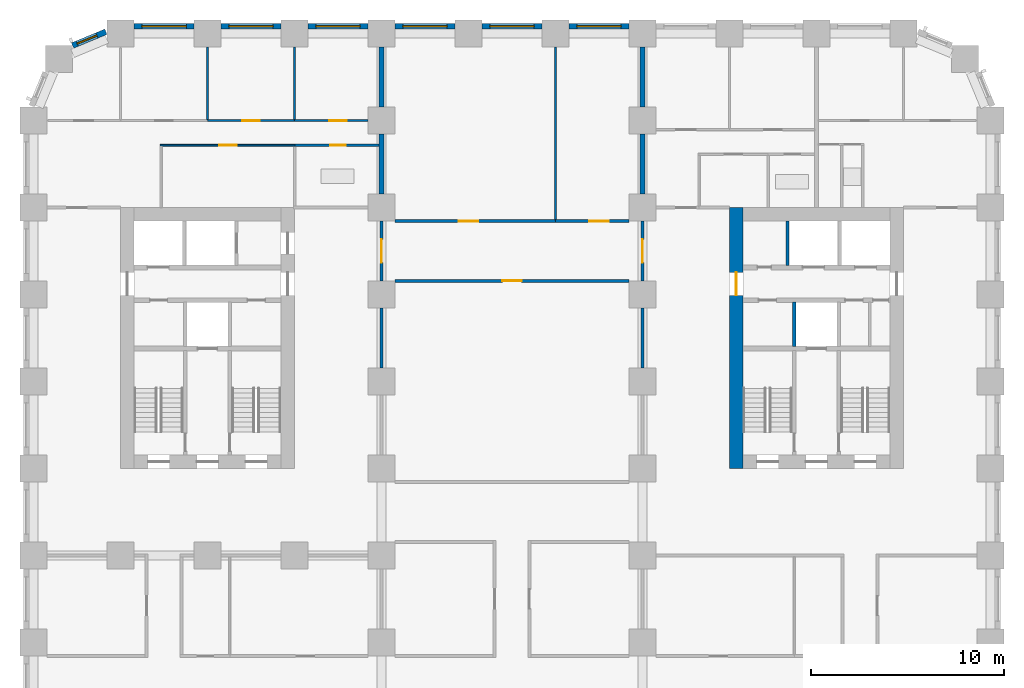
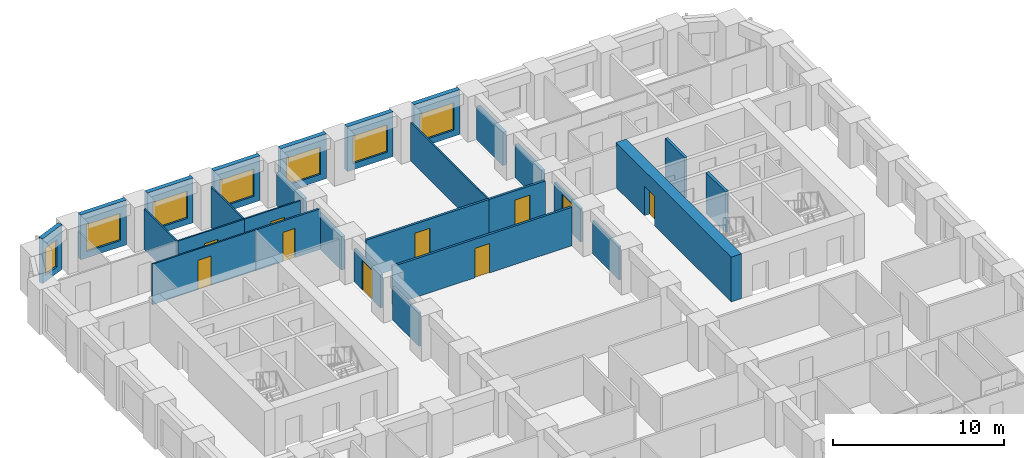
# One storey, part 7 of 12: 28 walls, 10 doors, 7 windows, 17 openings.
"""IFC4 building model written with IfcOpenShell, lengths in metres."""

from ifc_helpers import new_model, si_unit, direction, frame, frame_2d, origin, place, context, subcontext, project, spatial, rectangle, extrude, material, layer, layer_set, type_object, element, fill, save


model = new_model("IFC4")

# Units and contexts
model_context = context("Model", 3, precision=1e-05, world=origin(), true_north=direction((0.0, 1.0)))
body_context = subcontext(model_context, "Body", "Model", "MODEL_VIEW")
ifc_project = project(units=[si_unit("LENGTHUNIT", "METRE"), si_unit("AREAUNIT", "SQUARE_METRE"), si_unit("VOLUMEUNIT", "CUBIC_METRE"), si_unit("PLANEANGLEUNIT", "RADIAN"), si_unit("MASSUNIT", "GRAM", prefix="KILO")], contexts=[model_context])

# Site, building, storey
site_placement = place(None, origin())
site = spatial("IfcSite", under=ifc_project, at=site_placement, CompositionType="ELEMENT")
building_placement = place(site_placement, origin())
building = spatial("IfcBuilding", under=site, at=building_placement, Name="Girih Gate Residences", CompositionType="ELEMENT")
storey_placement = place(building_placement, frame((0.0, 0.0, 65.60009765625)))
storey = spatial("IfcBuildingStorey", under=building, at=storey_placement, Name="L17", CompositionType="ELEMENT", Elevation=65.60009765625)

# Walls
ifc_material_1 = material(Name="Gypsum board on steel studs", Category="steel")
ifc_layer_1 = layer(ifc_material_1, 0.25)
ifc_layer_set_1 = layer_set([ifc_layer_1], Name="Acoustic separating wall 250 mm")
wall_type_1 = type_object("IfcWallType", Name="Acoustic separating wall 250 mm", PredefinedType="PARTITIONING", material=ifc_layer_set_1)
for number, where, z_axis, x_axis, name in (
    (1, (18.0, 41.199951171875, 0.0), (0.0, 0.0, 1.0), (0.0, 1.0, 0.0), "L17 partition"),
    (2, (18.0, 45.699951171875, 0.0), (0.0, 0.0, 1.0), (0.0, 1.0, 0.0), "L17 partition"),
    (3, (31.5, 41.199951171875, 0.0), (0.0, 0.0, 1.0), (0.0, 1.0, 0.0), "L17 partition"),
    (4, (31.5, 45.699951171875, 0.0), (0.0, 0.0, 1.0), (0.0, 1.0, 0.0), "L17 partition"),
):
    element("IfcWall", number, at=place(storey_placement, frame(where, z_axis=z_axis, x_axis=x_axis)), inside=storey, type_object=wall_type_1, Name=name, PredefinedType="PARTITIONING", context=body_context, shape_type="SweptSolid", body=[
        extrude(rectangle(XDim=3.10009765625, YDim=0.25, at=frame_2d((1.550048828125, 0.0))), origin(), (0.0, 0.0, 1.0), 2.3798828125),
    ])

# Wall, opening, door
ifc_layer_2 = layer(ifc_material_1, 0.14990234375)
ifc_layer_set_2 = layer_set([ifc_layer_2], Name="Compartment wall 150 mm")
wall_type_2 = type_object("IfcWallType", Name="Compartment wall 150 mm", PredefinedType="PARTITIONING", material=ifc_layer_set_2)
wall_1_placement = place(storey_placement, frame((18.699951171875, 39.800048828125, 0.0), z_axis=(0.0, 0.0, 1.0), x_axis=(1.0, 0.0, 0.0)))
wall_1 = element("IfcWall", 5, at=wall_1_placement, inside=storey, type_object=wall_type_2, Name="L17 partition", PredefinedType="PARTITIONING", context=body_context, shape_type="SweptSolid", body=[
    extrude(rectangle(XDim=8.300048828125, YDim=0.14990234375, at=frame_2d((4.14990234375, 0.0))), origin(), (0.0, 0.0, 1.0), 2.75),
])
opening_1_placement = place(wall_1_placement, frame((3.300048828125, 0.0, 0.0)))
opening_1 = element("IfcOpeningElement", 6, at=opening_1_placement, cuts=wall_1, Name="Opening A17-038", PredefinedType="OPENING", context=body_context, shape_type="SweptSolid", body=[
    extrude(rectangle(XDim=1.0, YDim=2.10009765625, at=frame_2d((0.5, 1.050048828125))), frame((0.0, 0.0849609375, 0.0), z_axis=(0.0, -1.0, 0.0), x_axis=(1.0, 0.0, 0.0)), (0.0, 0.0, 1.0), 0.169921875),
])
ifc_material_2 = material(Name="Timber, fire-rated core", Category="wood")
door_type_1 = type_object("IfcDoorType", Name="Amenity room door 1000x2100 FD30S", OperationType="NOTDEFINED", PredefinedType="DOOR", material=ifc_material_2)
door_1_placement = place(opening_1_placement, origin())
door_1 = element("IfcDoor", 7, at=door_1_placement, inside=storey, type_object=door_type_1, Name="Door A17-038", OperationType="SINGLE_SWING_LEFT", OverallHeight=2.10009765625, OverallWidth=1.0, PredefinedType="DOOR", context=body_context, shape_type="SweptSolid", body=[
    extrude(rectangle(XDim=1.0, YDim=2.10009765625, at=frame_2d((0.5, 1.050048828125))), frame((0.0, 0.02490234375, 0.0), z_axis=(0.0, -1.0, 0.0), x_axis=(1.0, 0.0, 0.0)), (0.0, 0.0, 1.0), 0.050048828125),
])
fill(opening_1, door_1)

wall_2_placement = place(storey_placement, frame((27.0, 39.800048828125, 0.0), z_axis=(0.0, 0.0, 1.0), x_axis=(1.0, 0.0, 0.0)))
wall_2 = element("IfcWall", 8, at=wall_2_placement, inside=storey, type_object=wall_type_2, Name="L17 partition", PredefinedType="PARTITIONING", context=body_context, shape_type="SweptSolid", body=[
    extrude(rectangle(XDim=3.800048828125, YDim=0.14990234375, at=frame_2d((1.89990234375, 0.0))), origin(), (0.0, 0.0, 1.0), 2.75),
])
opening_2_placement = place(wall_2_placement, frame((1.75, 0.0, 0.0)))
opening_2 = element("IfcOpeningElement", 9, at=opening_2_placement, cuts=wall_2, Name="Opening A17-039", PredefinedType="OPENING", context=body_context, shape_type="SweptSolid", body=[
    extrude(rectangle(XDim=1.0, YDim=2.10009765625, at=frame_2d((0.5, 1.050048828125))), frame((0.0, 0.0849609375, 0.0), z_axis=(0.0, -1.0, 0.0), x_axis=(1.0, 0.0, 0.0)), (0.0, 0.0, 1.0), 0.169921875),
])
door_2_placement = place(opening_2_placement, origin())
door_2 = element("IfcDoor", 10, at=door_2_placement, inside=storey, type_object=door_type_1, Name="Door A17-039", OperationType="SINGLE_SWING_RIGHT", OverallHeight=2.10009765625, OverallWidth=1.0, PredefinedType="DOOR", context=body_context, shape_type="SweptSolid", body=[
    extrude(rectangle(XDim=1.0, YDim=2.10009765625, at=frame_2d((0.5, 1.050048828125))), frame((0.0, 0.02490234375, 0.0), z_axis=(0.0, -1.0, 0.0), x_axis=(1.0, 0.0, 0.0)), (0.0, 0.0, 1.0), 0.050048828125),
])
fill(opening_2, door_2)

wall_3_placement = place(storey_placement, frame((30.800048828125, 36.699951171875, 0.0), z_axis=(0.0, 0.0, 1.0), x_axis=(-1.0, 0.0, 0.0)))
wall_3 = element("IfcWall", 11, at=wall_3_placement, inside=storey, type_object=wall_type_2, Name="L17 partition", PredefinedType="PARTITIONING", context=body_context, shape_type="SweptSolid", body=[
    extrude(rectangle(XDim=12.10009765625, YDim=0.14990234375, at=frame_2d((6.050048828125, 0.0))), origin(), (0.0, 0.0, 1.0), 2.75),
])
opening_3_placement = place(wall_3_placement, frame((5.550048828125, 0.0, 0.0)))
opening_3 = element("IfcOpeningElement", 12, at=opening_3_placement, cuts=wall_3, Name="Opening A17-040", PredefinedType="OPENING", context=body_context, shape_type="SweptSolid", body=[
    extrude(rectangle(XDim=1.0, YDim=2.10009765625, at=frame_2d((0.5, 1.050048828125))), frame((0.0, 0.0849609375, 0.0), z_axis=(0.0, -1.0, 0.0), x_axis=(1.0, 0.0, 0.0)), (0.0, 0.0, 1.0), 0.169921875),
])
door_3_placement = place(opening_3_placement, origin())
door_3 = element("IfcDoor", 13, at=door_3_placement, inside=storey, type_object=door_type_1, Name="Door A17-040", OperationType="SINGLE_SWING_RIGHT", OverallHeight=2.10009765625, OverallWidth=1.0, PredefinedType="DOOR", context=body_context, shape_type="SweptSolid", body=[
    extrude(rectangle(XDim=1.0, YDim=2.10009765625, at=frame_2d((0.5, 1.050048828125))), frame((0.0, 0.02490234375, 0.0), z_axis=(0.0, -1.0, 0.0), x_axis=(1.0, 0.0, 0.0)), (0.0, 0.0, 1.0), 0.050048828125),
])
fill(opening_3, door_3)

wall_4_placement = place(storey_placement, frame((31.5, 36.699951171875, 0.0), z_axis=(0.0, 0.0, 1.0), x_axis=(0.0, 1.0, 0.0)))
wall_4 = element("IfcWall", 14, at=wall_4_placement, inside=storey, type_object=wall_type_2, Name="L17 partition", PredefinedType="PARTITIONING", context=body_context, shape_type="SweptSolid", body=[
    extrude(rectangle(XDim=3.10009765625, YDim=0.14990234375, at=frame_2d((1.550048828125, 0.0))), origin(), (0.0, 0.0, 1.0), 2.3798828125),
])
opening_4_placement = place(wall_4_placement, frame((0.949951171875, 0.0, 0.0)))
opening_4 = element("IfcOpeningElement", 15, at=opening_4_placement, cuts=wall_4, Name="Opening A17-041", PredefinedType="OPENING", context=body_context, shape_type="SweptSolid", body=[
    extrude(rectangle(XDim=1.199951171875, YDim=2.10009765625, at=frame_2d((0.60009765625, 1.050048828125))), frame((0.0, 0.0849609375, 0.0), z_axis=(0.0, -1.0, 0.0), x_axis=(1.0, 0.0, 0.0)), (0.0, 0.0, 1.0), 0.169921875),
])
door_type_2 = type_object("IfcDoorType", Name="Corridor fire door 1200x2100 FD30S", OperationType="NOTDEFINED", PredefinedType="DOOR", material=ifc_material_2)
door_4_placement = place(opening_4_placement, origin())
door_4 = element("IfcDoor", 16, at=door_4_placement, inside=storey, type_object=door_type_2, Name="Door A17-041", OperationType="SINGLE_SWING_LEFT", OverallHeight=2.10009765625, OverallWidth=1.199951171875, PredefinedType="DOOR", context=body_context, shape_type="SweptSolid", body=[
    extrude(rectangle(XDim=1.199951171875, YDim=2.10009765625, at=frame_2d((0.60009765625, 1.050048828125))), frame((0.0, 0.02490234375, 0.0), z_axis=(0.0, -1.0, 0.0), x_axis=(1.0, 0.0, 0.0)), (0.0, 0.0, 1.0), 0.050048828125),
])
fill(opening_4, door_4)

wall_5_placement = place(storey_placement, frame((18.0, 39.800048828125, 0.0), z_axis=(0.0, 0.0, 1.0), x_axis=(0.0, -1.0, 0.0)))
wall_5 = element("IfcWall", 17, at=wall_5_placement, inside=storey, type_object=wall_type_2, Name="L17 partition", PredefinedType="PARTITIONING", context=body_context, shape_type="SweptSolid", body=[
    extrude(rectangle(XDim=3.10009765625, YDim=0.14990234375, at=frame_2d((1.550048828125, 0.0))), origin(), (0.0, 0.0, 1.0), 2.3798828125),
])
opening_5_placement = place(wall_5_placement, frame((0.949951171875, 0.0, 0.0)))
opening_5 = element("IfcOpeningElement", 18, at=opening_5_placement, cuts=wall_5, Name="Opening A17-042", PredefinedType="OPENING", context=body_context, shape_type="SweptSolid", body=[
    extrude(rectangle(XDim=1.199951171875, YDim=2.10009765625, at=frame_2d((0.60009765625, 1.050048828125))), frame((0.0, 0.0849609375, 0.0), z_axis=(0.0, -1.0, 0.0), x_axis=(1.0, 0.0, 0.0)), (0.0, 0.0, 1.0), 0.169921875),
])
door_5_placement = place(opening_5_placement, origin())
door_5 = element("IfcDoor", 19, at=door_5_placement, inside=storey, type_object=door_type_2, Name="Door A17-042", OperationType="SINGLE_SWING_LEFT", OverallHeight=2.10009765625, OverallWidth=1.199951171875, PredefinedType="DOOR", context=body_context, shape_type="SweptSolid", body=[
    extrude(rectangle(XDim=1.199951171875, YDim=2.10009765625, at=frame_2d((0.60009765625, 1.050048828125))), frame((0.0, 0.02490234375, 0.0), z_axis=(0.0, -1.0, 0.0), x_axis=(1.0, 0.0, 0.0)), (0.0, 0.0, 1.0), 0.050048828125),
])
fill(opening_5, door_5)

# Walls
for number, where, z_axis, x_axis, name in (
    (20, (31.5, 32.199951171875, 0.0), (0.0, 0.0, 1.0), (0.0, 1.0, 0.0), "L17 partition"),
    (21, (18.0, 32.199951171875, 0.0), (0.0, 0.0, 1.0), (0.0, 1.0, 0.0), "L17 partition"),
):
    element("IfcWall", number, at=place(storey_placement, frame(where, z_axis=z_axis, x_axis=x_axis)), inside=storey, type_object=wall_type_2, Name=name, PredefinedType="PARTITIONING", context=body_context, shape_type="SweptSolid", body=[
        extrude(rectangle(XDim=3.10009765625, YDim=0.14990234375, at=frame_2d((1.550048828125, 0.0))), origin(), (0.0, 0.0, 1.0), 2.3798828125),
    ])

# Wall, opening, door
ifc_material_3 = material(Name="Concrete C60/75", Category="concrete")
ifc_layer_3 = layer(ifc_material_3, 0.699951171875)
ifc_layer_set_3 = layer_set([ifc_layer_3], Name="Core wall RC 700 Concrete C60/75")
wall_type_3 = type_object("IfcWallType", Name="Core wall RC 700 Concrete C60/75", PredefinedType="SOLIDWALL", material=ifc_layer_set_3)
wall_6_placement = place(storey_placement, frame((36.35009765625, 27.0, 0.0), z_axis=(0.0, 0.0, 1.0), x_axis=(0.0, 1.0, 0.0)))
wall_6 = element("IfcWall", 22, at=wall_6_placement, inside=storey, type_object=wall_type_3, Name="Core wall E-W L17", PredefinedType="SOLIDWALL", context=body_context, shape_type="SweptSolid", body=[
    extrude(rectangle(XDim=13.5, YDim=0.699951171875, at=frame_2d((6.75, 0.0))), origin(), (0.0, 0.0, 1.0), 3.199951171875),
])
opening_6_placement = place(wall_6_placement, frame((8.949951171875, 0.0, 0.0)))
opening_6 = element("IfcOpeningElement", 23, at=opening_6_placement, cuts=wall_6, Name="Opening D-L17-E-013", PredefinedType="OPENING", context=body_context, shape_type="SweptSolid", body=[
    extrude(rectangle(XDim=1.199951171875, YDim=2.10009765625, at=frame_2d((0.60009765625, 1.050048828125))), frame((0.0, 0.35986328125, 0.0), z_axis=(0.0, -1.0, 0.0), x_axis=(1.0, 0.0, 0.0)), (0.0, 0.0, 1.0), 0.719970703125),
])
ifc_material_4 = material(Name="Painted steel, fire-resisting", Category="steel")
door_type_3 = type_object("IfcDoorType", Name="Fire door 1200x2100", OperationType="SINGLE_SWING_LEFT", PredefinedType="DOOR", material=ifc_material_4)
door_6_placement = place(opening_6_placement, origin())
door_6 = element("IfcDoor", 24, at=door_6_placement, inside=storey, type_object=door_type_3, Name="L17 E core door ll-w", OperationType="SINGLE_SWING_LEFT", OverallHeight=2.10009765625, OverallWidth=1.199951171875, PredefinedType="DOOR", context=body_context, shape_type="SweptSolid", body=[
    extrude(rectangle(XDim=1.199951171875, YDim=2.10009765625, at=frame_2d((0.60009765625, 1.050048828125))), frame((0.0, 0.02490234375, 0.0), z_axis=(0.0, -1.0, 0.0), x_axis=(1.0, 0.0, 0.0)), (0.0, 0.0, 1.0), 0.050048828125),
])
fill(opening_6, door_6)

# Walls
ifc_layer_4 = layer(ifc_material_1, 0.10009765625)
ifc_layer_set_4 = layer_set([ifc_layer_4], Name="Partition 100 mm")
wall_type_4 = type_object("IfcWallType", Name="Partition 100 mm", PredefinedType="PARTITIONING", material=ifc_layer_set_4)
for number, where, z_axis, x_axis, name in (
    (25, (9.0, 45.050048828125, 0.0), (0.0, 0.0, 1.0), (0.0, 1.0, 0.0), "L17 partition"),
    (26, (13.5, 45.050048828125, 0.0), (0.0, 0.0, 1.0), (0.0, 1.0, 0.0), "L17 partition"),
):
    element("IfcWall", number, at=place(storey_placement, frame(where, z_axis=z_axis, x_axis=x_axis)), inside=storey, type_object=wall_type_4, Name=name, PredefinedType="PARTITIONING", context=body_context, shape_type="SweptSolid", body=[
        extrude(rectangle(XDim=3.75, YDim=0.10009765625, at=frame_2d((1.875, 0.0))), origin(), (0.0, 0.0, 1.0), 2.89990234375),
    ])

# Wall, opening, door
wall_7_placement = place(storey_placement, frame((9.0, 45.0, 0.0), z_axis=(0.0, 0.0, 1.0), x_axis=(1.0, 0.0, 0.0)))
wall_7 = element("IfcWall", 27, at=wall_7_placement, inside=storey, type_object=wall_type_4, Name="L17 partition", PredefinedType="PARTITIONING", context=body_context, shape_type="SweptSolid", body=[
    extrude(rectangle(XDim=4.5, YDim=0.10009765625, at=frame_2d((2.25, 0.0))), origin(), (0.0, 0.0, 1.0), 2.89990234375),
])
opening_7_placement = place(wall_7_placement, frame((1.800048828125, 0.0, 0.0)))
opening_7 = element("IfcOpeningElement", 28, at=opening_7_placement, cuts=wall_7, Name="Opening A17-013", PredefinedType="OPENING", context=body_context, shape_type="SweptSolid", body=[
    extrude(rectangle(XDim=0.89990234375, YDim=2.10009765625, at=frame_2d((0.449951171875, 1.050048828125))), frame((0.0, 0.06005859375, 0.0), z_axis=(0.0, -1.0, 0.0), x_axis=(1.0, 0.0, 0.0)), (0.0, 0.0, 1.0), 0.1201171875),
])
ifc_material_5 = material(Name="Timber", Category="wood")
door_type_4 = type_object("IfcDoorType", Name="Bedroom door 900x2100", OperationType="NOTDEFINED", PredefinedType="DOOR", material=ifc_material_5)
door_7_placement = place(opening_7_placement, origin())
door_7 = element("IfcDoor", 29, at=door_7_placement, inside=storey, type_object=door_type_4, Name="Door A17-013", OperationType="SINGLE_SWING_LEFT", OverallHeight=2.10009765625, OverallWidth=0.89990234375, PredefinedType="DOOR", context=body_context, shape_type="SweptSolid", body=[
    extrude(rectangle(XDim=0.89990234375, YDim=2.10009765625, at=frame_2d((0.449951171875, 1.050048828125))), frame((0.0, 0.02490234375, 0.0), z_axis=(0.0, -1.0, 0.0), x_axis=(1.0, 0.0, 0.0)), (0.0, 0.0, 1.0), 0.050048828125),
])
fill(opening_7, door_7)

wall_8_placement = place(storey_placement, frame((13.5, 45.0, 0.0), z_axis=(0.0, 0.0, 1.0), x_axis=(1.0, 0.0, 0.0)))
wall_8 = element("IfcWall", 30, at=wall_8_placement, inside=storey, type_object=wall_type_4, Name="L17 partition", PredefinedType="PARTITIONING", context=body_context, shape_type="SweptSolid", body=[
    extrude(rectangle(XDim=3.800048828125, YDim=0.10009765625, at=frame_2d((1.89990234375, 0.0))), origin(), (0.0, 0.0, 1.0), 2.89990234375),
])
opening_8_placement = place(wall_8_placement, frame((1.800048828125, 0.0, 0.0)))
opening_8 = element("IfcOpeningElement", 31, at=opening_8_placement, cuts=wall_8, Name="Opening A17-014", PredefinedType="OPENING", context=body_context, shape_type="SweptSolid", body=[
    extrude(rectangle(XDim=0.89990234375, YDim=2.10009765625, at=frame_2d((0.449951171875, 1.050048828125))), frame((0.0, 0.06005859375, 0.0), z_axis=(0.0, -1.0, 0.0), x_axis=(1.0, 0.0, 0.0)), (0.0, 0.0, 1.0), 0.1201171875),
])
door_8_placement = place(opening_8_placement, origin())
door_8 = element("IfcDoor", 32, at=door_8_placement, inside=storey, type_object=door_type_4, Name="Door A17-014", OperationType="SINGLE_SWING_RIGHT", OverallHeight=2.10009765625, OverallWidth=0.89990234375, PredefinedType="DOOR", context=body_context, shape_type="SweptSolid", body=[
    extrude(rectangle(XDim=0.89990234375, YDim=2.10009765625, at=frame_2d((0.449951171875, 1.050048828125))), frame((0.0, 0.02490234375, 0.0), z_axis=(0.0, -1.0, 0.0), x_axis=(1.0, 0.0, 0.0)), (0.0, 0.0, 1.0), 0.050048828125),
])
fill(opening_8, door_8)

wall_9_placement = place(storey_placement, frame((13.51806640625, 43.719970703125, 0.0), z_axis=(0.0, 0.0, 1.0), x_axis=(-1.0, 0.0, 0.0)))
wall_9 = element("IfcWall", 33, at=wall_9_placement, inside=storey, type_object=wall_type_4, Name="L17 partition", PredefinedType="PARTITIONING", context=body_context, shape_type="SweptSolid", body=[
    extrude(rectangle(XDim=6.968017578125, YDim=0.10009765625, at=frame_2d((3.48388671875, 0.0))), origin(), (0.0, 0.0, 1.0), 2.89990234375),
])
opening_9_placement = place(wall_9_placement, frame((3.009033203125, 0.0, 0.0)))
opening_9 = element("IfcOpeningElement", 34, at=opening_9_placement, cuts=wall_9, Name="Opening A17-015", PredefinedType="OPENING", context=body_context, shape_type="SweptSolid", body=[
    extrude(rectangle(XDim=0.89990234375, YDim=2.10009765625, at=frame_2d((0.449951171875, 1.050048828125))), frame((0.0, 0.06005859375, 0.0), z_axis=(0.0, -1.0, 0.0), x_axis=(1.0, 0.0, 0.0)), (0.0, 0.0, 1.0), 0.1201171875),
])
door_type_5 = type_object("IfcDoorType", Name="Kitchen door 900x2100", OperationType="NOTDEFINED", PredefinedType="DOOR", material=ifc_material_5)
door_9_placement = place(opening_9_placement, origin())
door_9 = element("IfcDoor", 35, at=door_9_placement, inside=storey, type_object=door_type_5, Name="Door A17-015", OperationType="SINGLE_SWING_LEFT", OverallHeight=2.10009765625, OverallWidth=0.89990234375, PredefinedType="DOOR", context=body_context, shape_type="SweptSolid", body=[
    extrude(rectangle(XDim=0.89990234375, YDim=2.10009765625, at=frame_2d((0.449951171875, 1.050048828125))), frame((0.0, 0.02490234375, 0.0), z_axis=(0.0, -1.0, 0.0), x_axis=(1.0, 0.0, 0.0)), (0.0, 0.0, 1.0), 0.050048828125),
])
fill(opening_9, door_9)

# Wall
wall_10_placement = place(storey_placement, frame((27.0, 39.875, 0.0), z_axis=(0.0, 0.0, 1.0), x_axis=(0.0, 1.0, 0.0)))
element("IfcWall", 36, at=wall_10_placement, inside=storey, type_object=wall_type_4, Name="L17 partition", PredefinedType="PARTITIONING", context=body_context, shape_type="SweptSolid", body=[
    extrude(rectangle(XDim=8.925048828125, YDim=0.10009765625, at=frame_2d((4.46240234375, 0.0))), origin(), (0.0, 0.0, 1.0), 2.75),
])

# Wall, opening, window
ifc_material_6 = material(Name="Precast concrete C50/60", Category="concrete")
ifc_layer_5 = layer(ifc_material_6, 0.080078125, Name="Outer leaf")
ifc_material_7 = material(Name="Rigid PIR insulation")
ifc_layer_6 = layer(ifc_material_7, 0.14990234375, Name="Insulation")
ifc_material_8 = material(Name="Precast concrete C40/50", Category="concrete")
ifc_layer_7 = layer(ifc_material_8, 0.070068359375, Name="Inner leaf")
ifc_layer_set_5 = layer_set([ifc_layer_5, ifc_layer_6, ifc_layer_7], Name="Precast concrete C50/60 external wall 300")
wall_type_5 = type_object("IfcWallType", Name="Precast concrete C50/60 external wall 300", PredefinedType="SOLIDWALL", material=ifc_layer_set_5)
wall_11_placement = place(storey_placement, frame((27.699951171875, 49.875, 0.0), z_axis=(0.0, 0.0, 1.0), x_axis=(1.0, 0.0, 0.0)))
wall_11 = element("IfcWall", 37, at=wall_11_placement, inside=storey, type_object=wall_type_5, Name="External wall N0450_0495.3", PredefinedType="SOLIDWALL", context=body_context, shape_type="SweptSolid", body=[
    extrude(rectangle(XDim=3.10009765625, YDim=0.300048828125, at=frame_2d((1.550048828125, 0.0))), origin(), (0.0, 0.0, 1.0), 3.199951171875),
])
opening_10_placement = place(wall_11_placement, frame((0.39990234375, 0.0, 0.449951171875)))
opening_10 = element("IfcOpeningElement", 38, at=opening_10_placement, cuts=wall_11, Name="Opening W-1", PredefinedType="OPENING", context=body_context, shape_type="SweptSolid", body=[
    extrude(rectangle(XDim=2.300048828125, YDim=1.949951171875, at=frame_2d((1.14990234375, 0.97509765625))), frame((0.0, 0.159912109375, 0.0), z_axis=(0.0, -1.0, 0.0), x_axis=(1.0, 0.0, 0.0)), (0.0, 0.0, 1.0), 0.320068359375),
])
ifc_material_9 = material(Name="Double glazing in aluminium frame", Category="aluminium")
window_type_1 = type_object("IfcWindowType", Name="Window W-1 2300x1950", PartitioningType="SINGLE_PANEL", PredefinedType="WINDOW", material=ifc_material_9)
window_1_placement = place(opening_10_placement, origin())
window_1 = element("IfcWindow", 39, at=window_1_placement, inside=storey, type_object=window_type_1, Name="Window W-1 N0450_0495.3", OverallHeight=1.949951171875, OverallWidth=2.300048828125, PartitioningType="SINGLE_PANEL", PredefinedType="WINDOW", context=body_context, shape_type="SweptSolid", body=[
    extrude(rectangle(XDim=2.300048828125, YDim=1.949951171875, at=frame_2d((1.14990234375, 0.97509765625))), frame((0.0, 0.030029296875, 0.0), z_axis=(0.0, -1.0, 0.0), x_axis=(1.0, 0.0, 0.0)), (0.0, 0.0, 1.0), 0.06005859375),
])
fill(opening_10, window_1)

wall_12_placement = place(storey_placement, frame((23.199951171875, 49.875, 0.0), z_axis=(0.0, 0.0, 1.0), x_axis=(1.0, 0.0, 0.0)))
wall_12 = element("IfcWall", 40, at=wall_12_placement, inside=storey, type_object=wall_type_5, Name="External wall N0450_0495.4", PredefinedType="SOLIDWALL", context=body_context, shape_type="SweptSolid", body=[
    extrude(rectangle(XDim=3.10009765625, YDim=0.300048828125, at=frame_2d((1.550048828125, 0.0))), origin(), (0.0, 0.0, 1.0), 3.199951171875),
])
opening_11_placement = place(wall_12_placement, frame((0.39990234375, 0.0, 0.449951171875)))
opening_11 = element("IfcOpeningElement", 41, at=opening_11_placement, cuts=wall_12, Name="Opening W-1", PredefinedType="OPENING", context=body_context, shape_type="SweptSolid", body=[
    extrude(rectangle(XDim=2.300048828125, YDim=1.949951171875, at=frame_2d((1.14990234375, 0.97509765625))), frame((0.0, 0.159912109375, 0.0), z_axis=(0.0, -1.0, 0.0), x_axis=(1.0, 0.0, 0.0)), (0.0, 0.0, 1.0), 0.320068359375),
])
window_2_placement = place(opening_11_placement, origin())
window_2 = element("IfcWindow", 42, at=window_2_placement, inside=storey, type_object=window_type_1, Name="Window W-1 N0450_0495.4", OverallHeight=1.949951171875, OverallWidth=2.300048828125, PartitioningType="SINGLE_PANEL", PredefinedType="WINDOW", context=body_context, shape_type="SweptSolid", body=[
    extrude(rectangle(XDim=2.300048828125, YDim=1.949951171875, at=frame_2d((1.14990234375, 0.97509765625))), frame((0.0, 0.030029296875, 0.0), z_axis=(0.0, -1.0, 0.0), x_axis=(1.0, 0.0, 0.0)), (0.0, 0.0, 1.0), 0.06005859375),
])
fill(opening_11, window_2)

wall_13_placement = place(storey_placement, frame((18.699951171875, 49.875, 0.0), z_axis=(0.0, 0.0, 1.0), x_axis=(1.0, 0.0, 0.0)))
wall_13 = element("IfcWall", 43, at=wall_13_placement, inside=storey, type_object=wall_type_5, Name="External wall N0450_0495.5", PredefinedType="SOLIDWALL", context=body_context, shape_type="SweptSolid", body=[
    extrude(rectangle(XDim=3.10009765625, YDim=0.300048828125, at=frame_2d((1.550048828125, 0.0))), origin(), (0.0, 0.0, 1.0), 3.199951171875),
])
opening_12_placement = place(wall_13_placement, frame((0.39990234375, 0.0, 0.449951171875)))
opening_12 = element("IfcOpeningElement", 44, at=opening_12_placement, cuts=wall_13, Name="Opening W-1", PredefinedType="OPENING", context=body_context, shape_type="SweptSolid", body=[
    extrude(rectangle(XDim=2.300048828125, YDim=1.949951171875, at=frame_2d((1.14990234375, 0.97509765625))), frame((0.0, 0.159912109375, 0.0), z_axis=(0.0, -1.0, 0.0), x_axis=(1.0, 0.0, 0.0)), (0.0, 0.0, 1.0), 0.320068359375),
])
window_3_placement = place(opening_12_placement, origin())
window_3 = element("IfcWindow", 45, at=window_3_placement, inside=storey, type_object=window_type_1, Name="Window W-1 N0450_0495.5", OverallHeight=1.949951171875, OverallWidth=2.300048828125, PartitioningType="SINGLE_PANEL", PredefinedType="WINDOW", context=body_context, shape_type="SweptSolid", body=[
    extrude(rectangle(XDim=2.300048828125, YDim=1.949951171875, at=frame_2d((1.14990234375, 0.97509765625))), frame((0.0, 0.030029296875, 0.0), z_axis=(0.0, -1.0, 0.0), x_axis=(1.0, 0.0, 0.0)), (0.0, 0.0, 1.0), 0.06005859375),
])
fill(opening_12, window_3)

wall_14_placement = place(storey_placement, frame((14.199951171875, 49.875, 0.0), z_axis=(0.0, 0.0, 1.0), x_axis=(1.0, 0.0, 0.0)))
wall_14 = element("IfcWall", 46, at=wall_14_placement, inside=storey, type_object=wall_type_5, Name="External wall N0450_0495.6", PredefinedType="SOLIDWALL", context=body_context, shape_type="SweptSolid", body=[
    extrude(rectangle(XDim=3.10009765625, YDim=0.300048828125, at=frame_2d((1.550048828125, 0.0))), origin(), (0.0, 0.0, 1.0), 3.199951171875),
])
opening_13_placement = place(wall_14_placement, frame((0.39990234375, 0.0, 0.449951171875)))
opening_13 = element("IfcOpeningElement", 47, at=opening_13_placement, cuts=wall_14, Name="Opening W-1", PredefinedType="OPENING", context=body_context, shape_type="SweptSolid", body=[
    extrude(rectangle(XDim=2.300048828125, YDim=1.949951171875, at=frame_2d((1.14990234375, 0.97509765625))), frame((0.0, 0.159912109375, 0.0), z_axis=(0.0, -1.0, 0.0), x_axis=(1.0, 0.0, 0.0)), (0.0, 0.0, 1.0), 0.320068359375),
])
window_4_placement = place(opening_13_placement, origin())
window_4 = element("IfcWindow", 48, at=window_4_placement, inside=storey, type_object=window_type_1, Name="Window W-1 N0450_0495.6", OverallHeight=1.949951171875, OverallWidth=2.300048828125, PartitioningType="SINGLE_PANEL", PredefinedType="WINDOW", context=body_context, shape_type="SweptSolid", body=[
    extrude(rectangle(XDim=2.300048828125, YDim=1.949951171875, at=frame_2d((1.14990234375, 0.97509765625))), frame((0.0, 0.030029296875, 0.0), z_axis=(0.0, -1.0, 0.0), x_axis=(1.0, 0.0, 0.0)), (0.0, 0.0, 1.0), 0.06005859375),
])
fill(opening_13, window_4)

wall_15_placement = place(storey_placement, frame((9.699951171875, 49.875, 0.0), z_axis=(0.0, 0.0, 1.0), x_axis=(1.0, 0.0, 0.0)))
wall_15 = element("IfcWall", 49, at=wall_15_placement, inside=storey, type_object=wall_type_5, Name="External wall N0450_0495.7", PredefinedType="SOLIDWALL", context=body_context, shape_type="SweptSolid", body=[
    extrude(rectangle(XDim=3.10009765625, YDim=0.300048828125, at=frame_2d((1.550048828125, 0.0))), origin(), (0.0, 0.0, 1.0), 3.199951171875),
])
opening_14_placement = place(wall_15_placement, frame((0.39990234375, 0.0, 0.449951171875)))
opening_14 = element("IfcOpeningElement", 50, at=opening_14_placement, cuts=wall_15, Name="Opening W-1", PredefinedType="OPENING", context=body_context, shape_type="SweptSolid", body=[
    extrude(rectangle(XDim=2.300048828125, YDim=1.949951171875, at=frame_2d((1.14990234375, 0.97509765625))), frame((0.0, 0.159912109375, 0.0), z_axis=(0.0, -1.0, 0.0), x_axis=(1.0, 0.0, 0.0)), (0.0, 0.0, 1.0), 0.320068359375),
])
window_5_placement = place(opening_14_placement, origin())
window_5 = element("IfcWindow", 51, at=window_5_placement, inside=storey, type_object=window_type_1, Name="Window W-1 N0450_0495.7", OverallHeight=1.949951171875, OverallWidth=2.300048828125, PartitioningType="SINGLE_PANEL", PredefinedType="WINDOW", context=body_context, shape_type="SweptSolid", body=[
    extrude(rectangle(XDim=2.300048828125, YDim=1.949951171875, at=frame_2d((1.14990234375, 0.97509765625))), frame((0.0, 0.030029296875, 0.0), z_axis=(0.0, -1.0, 0.0), x_axis=(1.0, 0.0, 0.0)), (0.0, 0.0, 1.0), 0.06005859375),
])
fill(opening_14, window_5)

wall_16_placement = place(storey_placement, frame((5.199951171875, 49.875, 0.0), z_axis=(0.0, 0.0, 1.0), x_axis=(1.0, 0.0, 0.0)))
wall_16 = element("IfcWall", 52, at=wall_16_placement, inside=storey, type_object=wall_type_5, Name="External wall N0450_0495.8", PredefinedType="SOLIDWALL", context=body_context, shape_type="SweptSolid", body=[
    extrude(rectangle(XDim=3.10009765625, YDim=0.300048828125, at=frame_2d((1.550048828125, 0.0))), origin(), (0.0, 0.0, 1.0), 3.199951171875),
])
opening_15_placement = place(wall_16_placement, frame((0.39990234375, 0.0, 0.449951171875)))
opening_15 = element("IfcOpeningElement", 53, at=opening_15_placement, cuts=wall_16, Name="Opening W-1", PredefinedType="OPENING", context=body_context, shape_type="SweptSolid", body=[
    extrude(rectangle(XDim=2.300048828125, YDim=1.949951171875, at=frame_2d((1.14990234375, 0.97509765625))), frame((0.0, 0.159912109375, 0.0), z_axis=(0.0, -1.0, 0.0), x_axis=(1.0, 0.0, 0.0)), (0.0, 0.0, 1.0), 0.320068359375),
])
window_6_placement = place(opening_15_placement, origin())
window_6 = element("IfcWindow", 54, at=window_6_placement, inside=storey, type_object=window_type_1, Name="Window W-1 N0450_0495.8", OverallHeight=1.949951171875, OverallWidth=2.300048828125, PartitioningType="SINGLE_PANEL", PredefinedType="WINDOW", context=body_context, shape_type="SweptSolid", body=[
    extrude(rectangle(XDim=2.300048828125, YDim=1.949951171875, at=frame_2d((1.14990234375, 0.97509765625))), frame((0.0, 0.030029296875, 0.0), z_axis=(0.0, -1.0, 0.0), x_axis=(1.0, 0.0, 0.0)), (0.0, 0.0, 1.0), 0.06005859375),
])
fill(opening_15, window_6)

wall_17_placement = place(storey_placement, frame((2.01953125, 48.87841796875, 0.0), z_axis=(0.0, 0.0, 1.0), x_axis=(0.923903565336, 0.38262540684, 0.0)))
wall_17 = element("IfcWall", 55, at=wall_17_placement, inside=storey, type_object=wall_type_5, Name="External wall NW0045_0495.0", PredefinedType="SOLIDWALL", context=body_context, shape_type="SweptSolid", body=[
    extrude(rectangle(XDim=1.864990234375, YDim=0.300048828125, at=frame_2d((0.9326171875, 0.0))), origin(), (0.0, 0.0, 1.0), 3.199951171875),
])
opening_16_placement = place(wall_17_placement, frame((0.257568359375, 0.0, 0.449951171875)))
opening_16 = element("IfcOpeningElement", 56, at=opening_16_placement, cuts=wall_17, Name="Opening W-2C", PredefinedType="OPENING", context=body_context, shape_type="SweptSolid", body=[
    extrude(rectangle(XDim=1.10009765625, YDim=1.949951171875, at=frame_2d((0.550048828125, 0.97509765625))), frame((0.0, 0.159912109375, 0.0), z_axis=(0.0, -1.0, 0.0), x_axis=(1.0, 0.0, 0.0)), (0.0, 0.0, 1.0), 0.320068359375),
])
window_type_2 = type_object("IfcWindowType", Name="Window W-2C 1100x1950", PartitioningType="SINGLE_PANEL", PredefinedType="WINDOW", material=ifc_material_9)
window_7_placement = place(opening_16_placement, origin())
window_7 = element("IfcWindow", 57, at=window_7_placement, inside=storey, type_object=window_type_2, Name="Window W-2C NW0045_0495.0", OverallHeight=1.949951171875, OverallWidth=1.10009765625, PartitioningType="SINGLE_PANEL", PredefinedType="WINDOW", context=body_context, shape_type="SweptSolid", body=[
    extrude(rectangle(XDim=1.10009765625, YDim=1.949951171875, at=frame_2d((0.550048828125, 0.97509765625))), frame((0.0, 0.030029296875, 0.0), z_axis=(0.0, -1.0, 0.0), x_axis=(1.0, 0.0, 0.0)), (0.0, 0.0, 1.0), 0.06005859375),
])
fill(opening_16, window_7)

# Walls
ifc_material_10 = material(Name="Concrete C40/50", Category="concrete")
ifc_layer_8 = layer(ifc_material_10, 0.175048828125)
ifc_layer_set_6 = layer_set([ifc_layer_8], Name="Riser shaft wall 175")
wall_type_6 = type_object("IfcWallType", Name="Riser shaft wall 175", PredefinedType="SOLIDWALL", material=ifc_layer_set_6)
wall_18_placement = place(storey_placement, frame((39.0, 37.5, 0.0), z_axis=(0.0, 0.0, 1.0), x_axis=(0.0, 1.0, 0.0)))
element("IfcWall", 58, at=wall_18_placement, inside=storey, type_object=wall_type_6, Name="L17 E core wall V2c", PredefinedType="SOLIDWALL", context=body_context, shape_type="SweptSolid", body=[
    extrude(rectangle(XDim=2.300048828125, YDim=0.175048828125, at=frame_2d((1.14990234375, 0.0))), origin(), (0.0, 0.0, 1.0), 2.89990234375),
])
ifc_layer_9 = layer(ifc_material_10, 0.199951171875)
ifc_layer_set_7 = layer_set([ifc_layer_9], Name="Shaft wall 200")
wall_type_7 = type_object("IfcWallType", Name="Shaft wall 200", PredefinedType="SOLIDWALL", material=ifc_layer_set_7)
wall_19_placement = place(storey_placement, frame((39.35009765625, 33.300048828125, 0.0), z_axis=(0.0, 0.0, 1.0), x_axis=(0.0, 1.0, 0.0)))
element("IfcWall", 59, at=wall_19_placement, inside=storey, type_object=wall_type_7, Name="L17 E core wall V2b", PredefinedType="SOLIDWALL", context=body_context, shape_type="SweptSolid", body=[
    extrude(rectangle(XDim=2.300048828125, YDim=0.199951171875, at=frame_2d((1.14990234375, 0.0))), origin(), (0.0, 0.0, 1.0), 2.89990234375),
])

# Wall, opening, door
ifc_layer_10 = layer(ifc_material_1, 0.125)
ifc_layer_set_8 = layer_set([ifc_layer_10], Name="Wet room wall 125 mm")
wall_type_8 = type_object("IfcWallType", Name="Wet room wall 125 mm", PredefinedType="PARTITIONING", material=ifc_layer_set_8)
wall_20_placement = place(storey_placement, frame((17.875, 43.719970703125, 0.0), z_axis=(0.0, 0.0, 1.0), x_axis=(-1.0, 0.0, 0.0)))
wall_20 = element("IfcWall", 60, at=wall_20_placement, inside=storey, type_object=wall_type_8, Name="L17 partition", PredefinedType="PARTITIONING", context=body_context, shape_type="SweptSolid", body=[
    extrude(rectangle(XDim=4.35693359375, YDim=0.125, at=frame_2d((2.178466796875, 0.0))), origin(), (0.0, 0.0, 1.0), 2.89990234375),
])
opening_17_placement = place(wall_20_placement, frame((1.716064453125, 0.0, 0.0)))
opening_17 = element("IfcOpeningElement", 61, at=opening_17_placement, cuts=wall_20, Name="Opening A17-011", PredefinedType="OPENING", context=body_context, shape_type="SweptSolid", body=[
    extrude(rectangle(XDim=0.800048828125, YDim=2.10009765625, at=frame_2d((0.39990234375, 1.050048828125))), frame((0.0, 0.072509765625, 0.0), z_axis=(0.0, -1.0, 0.0), x_axis=(1.0, 0.0, 0.0)), (0.0, 0.0, 1.0), 0.14501953125),
])
door_type_6 = type_object("IfcDoorType", Name="Bathroom door 800x2100", OperationType="NOTDEFINED", PredefinedType="DOOR", material=ifc_material_5)
door_10_placement = place(opening_17_placement, origin())
door_10 = element("IfcDoor", 62, at=door_10_placement, inside=storey, type_object=door_type_6, Name="Door A17-011", OperationType="SINGLE_SWING_LEFT", OverallHeight=2.10009765625, OverallWidth=0.800048828125, PredefinedType="DOOR", context=body_context, shape_type="SweptSolid", body=[
    extrude(rectangle(XDim=0.800048828125, YDim=2.10009765625, at=frame_2d((0.39990234375, 1.050048828125))), frame((0.0, 0.02490234375, 0.0), z_axis=(0.0, -1.0, 0.0), x_axis=(1.0, 0.0, 0.0)), (0.0, 0.0, 1.0), 0.050048828125),
])
fill(opening_17, door_10)

save(model, "model.ifc")
